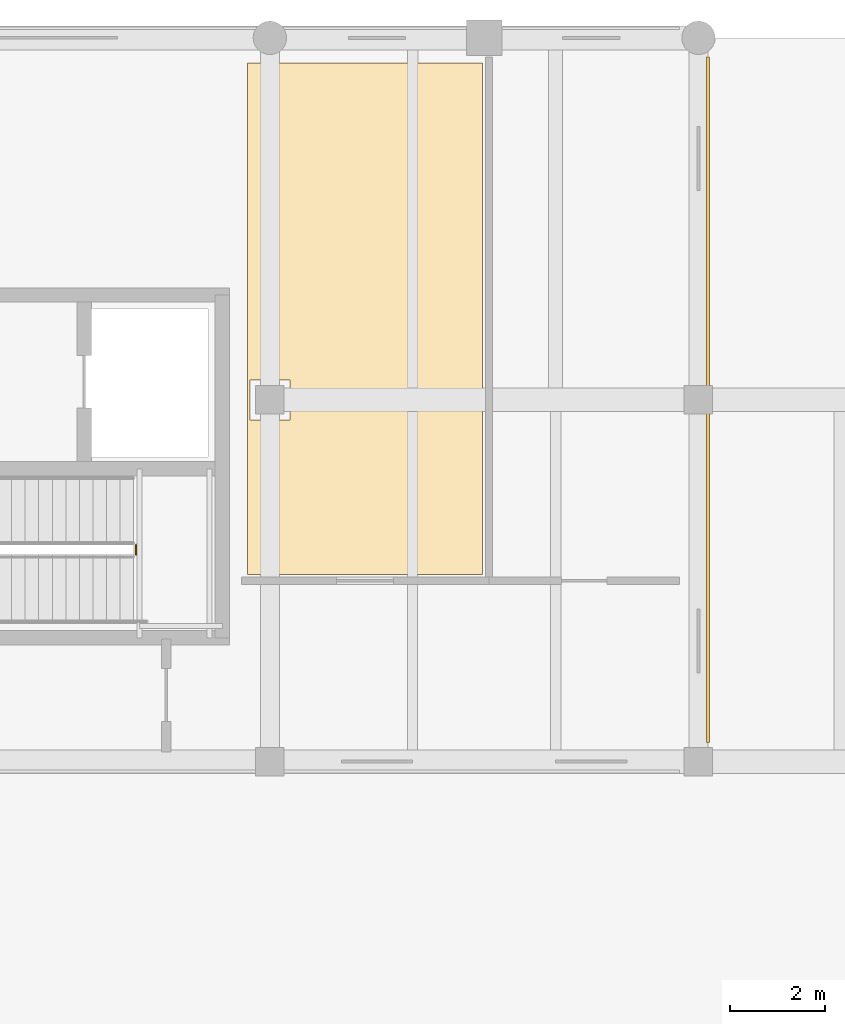
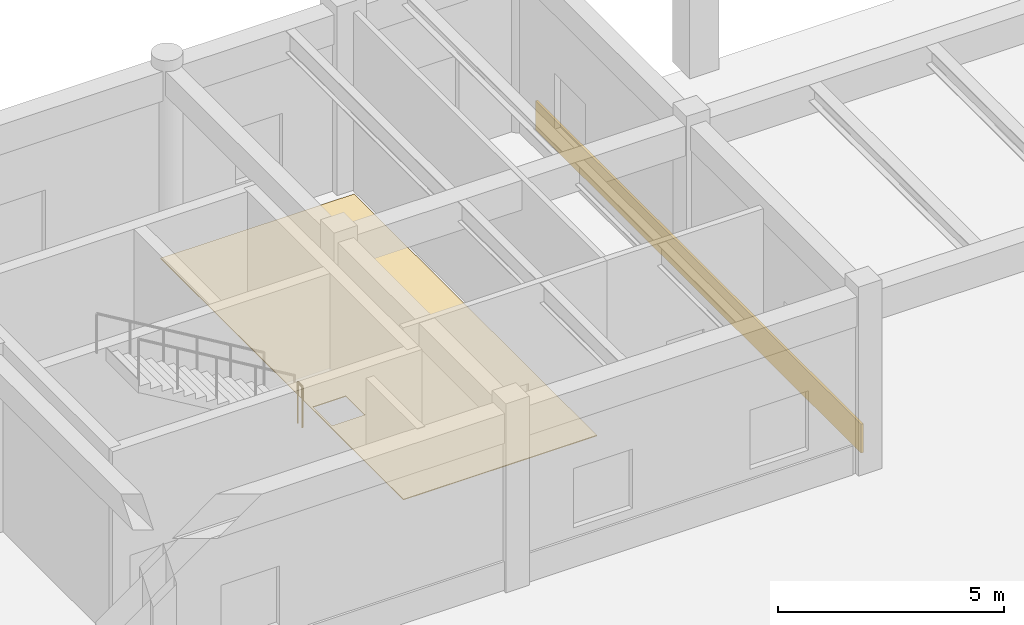
# One storey, part 59 of 64: 2 coverings, 1 railing.
"""IFC4 building model written with IfcOpenShell, lengths in metres."""

from ifc_helpers import new_model, si_unit, direction, frame, origin, origin_2d, place, context, subcontext, project, spatial, polyline, rectangle, circle, outline, extrude, material, layer, layer_set, type_object, element, save


model = new_model("IFC4")

# Units and contexts
model_context = context("Model", 3, precision=1e-05, world=origin(), true_north=direction((0.0, 1.0)))
body_context = subcontext(model_context, "Body", "Model", "MODEL_VIEW")
ifc_project = project(units=[si_unit("LENGTHUNIT", "METRE"), si_unit("AREAUNIT", "SQUARE_METRE"), si_unit("VOLUMEUNIT", "CUBIC_METRE"), si_unit("PLANEANGLEUNIT", "RADIAN"), si_unit("MASSUNIT", "GRAM", prefix="KILO")], contexts=[model_context])

# Site, building, storey
site_placement = place(None, origin())
site = spatial("IfcSite", under=ifc_project, at=site_placement, CompositionType="ELEMENT")
building_placement = place(site_placement, origin())
building = spatial("IfcBuilding", under=site, at=building_placement, Name="Montealbar Specialist Clinic", CompositionType="ELEMENT")
storey_placement = place(building_placement, origin())
storey = spatial("IfcBuildingStorey", under=building, at=storey_placement, Name="L00", CompositionType="ELEMENT", Elevation=0.0)

# Coverings
ifc_material_1 = material(Name="Guadarrama granite ashlar", Category="masonry")
ifc_layer_1 = layer(ifc_material_1, 0.06005859375, Name="Guadarrama granite ashlar", Category="masonry")
ifc_layer_set_1 = layer_set([ifc_layer_1], Name="Guadarrama granite ashlar")
covering_type_1 = type_object("IfcCoveringType", Name="COV-CLAD-GRANITE", PredefinedType="CLADDING", material=ifc_layer_set_1)
covering_1_placement = place(storey_placement, frame((45.202880859375, 103.39990234375, 0.02978515625), z_axis=(0.0, 0.0, 1.0), x_axis=(0.0, -1.0, 0.0)))
element("IfcCovering", 1, at=covering_1_placement, inside=storey, type_object=covering_type_1, Name="Facade Plinth Cladding Band L00-018", PredefinedType="CLADDING", context=body_context, shape_type="SweptSolid", body=[
    extrude(rectangle(XDim=14.39990234375, YDim=0.06005859375, at=origin_2d()), origin(), (0.0, 0.0, 1.0), 0.780029296875),
])
ifc_material_2 = material(Name="Antimicrobial clinical linoleum", Category="wood")
ifc_layer_2 = layer(ifc_material_2, 0.02001953125, Name="Antimicrobial clinical linoleum", Category="wood")
ifc_layer_set_2 = layer_set([ifc_layer_2], Name="Antimicrobial clinical linoleum")
covering_type_2 = type_object("IfcCoveringType", Name="COV-FLR-LINOLEUM", PredefinedType="FLOORING", material=ifc_layer_set_2)
covering_2_placement = place(storey_placement, origin())
element("IfcCovering", 2, at=covering_2_placement, inside=storey, type_object=covering_type_2, Name="Clinical Flooring Compounding Pharmacy Clean Prep", PredefinedType="FLOORING", context=body_context, shape_type="SweptSolid", body=[
    extrude(outline(polyline([(35.530029296875, 110.469970703125), (40.469970703125, 110.469970703125), (40.469970703125, 99.72998046875), (35.530029296875, 99.72998046875), (35.530029296875, 110.469970703125)]), holes=[polyline([(35.580078125, 103.820068359375), (35.580078125, 102.97998046875), (36.419921875, 102.97998046875), (36.419921875, 103.820068359375), (35.580078125, 103.820068359375)])]), origin(), (0.0, 0.0, 1.0), 0.02001953125),
])

# Railing
ifc_material_3 = material(Name="Steel S355", Category="steel")
ifc_layer_3 = layer(ifc_material_3, 0.050048828125, Name="Steel S355", Category="steel")
ifc_layer_set_3 = layer_set([ifc_layer_3], Name="Steel S355")
railing_type = type_object("IfcRailingType", Name="RAIL-STAIR-BAL-1100", PredefinedType="BALUSTRADE", material=ifc_layer_set_3)
railing_placement = place(storey_placement, frame((33.18994140625, 100.14990234375, 2.550048828125)))
element("IfcRailing", 3, at=railing_placement, inside=storey, type_object=railing_type, Name="L00 ST-02 stair guard 2", PredefinedType="BALUSTRADE", context=body_context, shape_type="SweptSolid", body=[
    extrude(circle(Radius=0.02392578125, at=origin_2d()), frame((0.0, 0.0, 1.076171875), z_axis=(0.0, 1.0, 0.0), x_axis=(-1.0, 0.0, 0.0)), (0.0, 0.0, 1.0), 0.2001953125),
    extrude(circle(Radius=0.02099609375, at=origin_2d()), frame((0.0, 0.0, -0.02490234375)), (0.0, 0.0, 1.0), 1.076904296875),
    extrude(circle(Radius=0.02099609375, at=origin_2d()), frame((0.0, 0.2001953125, -0.02490234375)), (0.0, 0.0, 1.0), 1.076904296875),
])

save(model, "model.ifc")
